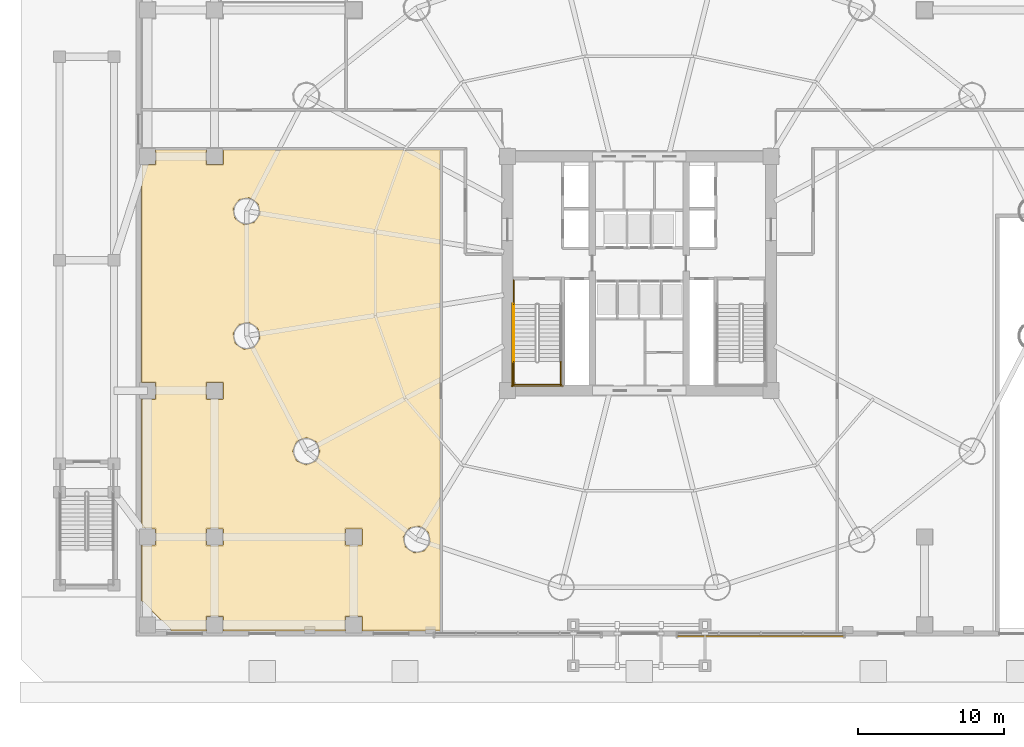
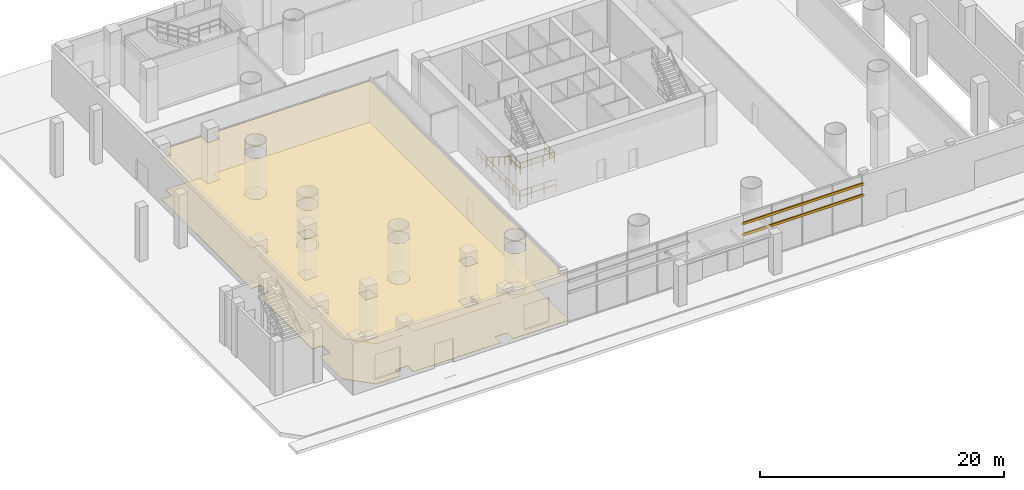
# One storey, part 17 of 25: 7 railings, 2 coverings, 2 shading devices.
"""IFC4 building model written with IfcOpenShell, lengths in metres."""

from ifc_helpers import new_model, si_unit, direction, frame, origin, origin_2d, place, context, subcontext, project, spatial, polyline, rectangle, hollow_rectangle, outline, extrude, source, transform, mapped, material, layer, layer_set, material_profile, profile_set, type_object, element, save


model = new_model("IFC4")

# Units and contexts
model_context = context("Model", 3, precision=1e-05, world=origin(), true_north=direction((-0.2419218956, 0.970295726276)))
body_context = subcontext(model_context, "Body", "Model", "MODEL_VIEW")
ifc_project = project(units=[si_unit("LENGTHUNIT", "METRE"), si_unit("AREAUNIT", "SQUARE_METRE"), si_unit("VOLUMEUNIT", "CUBIC_METRE"), si_unit("PLANEANGLEUNIT", "RADIAN"), si_unit("MASSUNIT", "GRAM", prefix="KILO")], contexts=[model_context])

# Site, building, storey
site_placement = place(None, origin())
site = spatial("IfcSite", under=ifc_project, at=site_placement, CompositionType="ELEMENT")
building_placement = place(site_placement, origin())
building = spatial("IfcBuilding", under=site, at=building_placement, Name="Cobrevalo Terracotta Tower", CompositionType="ELEMENT")
storey_placement = place(building_placement, origin())
storey = spatial("IfcBuildingStorey", under=building, at=storey_placement, Name="L00", CompositionType="ELEMENT", Elevation=0.0)

# Coverings
ifc_material_1 = material(Name="Honed terracotta and granite tile", Category="masonry")
ifc_layer_1 = layer(ifc_material_1, 0.034912109375)
ifc_layer_set_1 = layer_set([ifc_layer_1], Name="Honed terracotta and granite tile")
covering_type_1 = type_object("IfcCoveringType", Name="Honed Terracotta & Granite Interior Flooring 35", PredefinedType="FLOORING", material=ifc_layer_set_1)
covering_1_placement = place(storey_placement, origin())
element("IfcCovering", 1, at=covering_1_placement, inside=storey, type_object=covering_type_1, Name="South-West Promenade Boutique Retail floor finish", PredefinedType="FLOORING", context=body_context, shape_type="SweptSolid", body=[
    extrude(outline(polyline([(4.0400390625, 4.478271484375), (4.0400390625, 8.199951171875), (5.0, 8.199951171875), (5.0, 9.39990234375), (4.0400390625, 9.39990234375), (4.0400390625, 18.199951171875), (5.0, 18.199951171875), (5.0, 19.39990234375), (4.0400390625, 19.39990234375), (4.0400390625, 34.199951171875), (5.0, 34.199951171875), (5.0, 35.219970703125), (8.39990234375, 35.219970703125), (8.39990234375, 34.199951171875), (9.60009765625, 34.199951171875), (9.60009765625, 35.219970703125), (24.3798828125, 35.219970703125), (24.3798828125, 2.43994140625), (19.10009765625, 2.43994140625), (19.10009765625, 3.39990234375), (17.89990234375, 3.39990234375), (17.89990234375, 2.43994140625), (9.60009765625, 2.43994140625), (9.60009765625, 3.39990234375), (8.39990234375, 3.39990234375), (8.39990234375, 2.43994140625), (6.078369140625, 2.43994140625), (4.0400390625, 4.478271484375)]), holes=[polyline([(23.338623046875, 7.833984375), (23.746826171875, 8.445068359375), (23.603515625, 9.165771484375), (22.992431640625, 9.573974609375), (22.271728515625, 9.4306640625), (21.863525390625, 8.819580078125), (22.0068359375, 8.098876953125), (22.617919921875, 7.690673828125), (23.338623046875, 7.833984375)]), polyline([(17.89990234375, 9.39990234375), (17.89990234375, 8.199951171875), (19.10009765625, 8.199951171875), (19.10009765625, 9.39990234375), (17.89990234375, 9.39990234375)]), polyline([(15.938232421875, 13.98193359375), (16.219482421875, 14.660888671875), (15.938232421875, 15.339599609375), (15.25927734375, 15.620849609375), (14.580322265625, 15.339599609375), (14.29931640625, 14.660888671875), (14.580322265625, 13.98193359375), (15.25927734375, 13.70068359375), (15.938232421875, 13.98193359375)]), polyline([(11.708984375, 21.739013671875), (12.1171875, 22.349853515625), (11.973876953125, 23.07080078125), (11.36279296875, 23.47900390625), (10.64208984375, 23.33544921875), (10.23388671875, 22.724609375), (10.377197265625, 22.00390625), (10.98828125, 21.595703125), (11.708984375, 21.739013671875)]), polyline([(11.708984375, 30.264404296875), (12.1171875, 30.87548828125), (11.973876953125, 31.59619140625), (11.36279296875, 32.00439453125), (10.64208984375, 31.861083984375), (10.23388671875, 31.25), (10.377197265625, 30.529296875), (10.98828125, 30.12109375), (11.708984375, 30.264404296875)]), polyline([(8.39990234375, 9.39990234375), (8.39990234375, 8.199951171875), (9.60009765625, 8.199951171875), (9.60009765625, 9.39990234375), (8.39990234375, 9.39990234375)]), polyline([(8.39990234375, 19.39990234375), (8.39990234375, 18.199951171875), (9.60009765625, 18.199951171875), (9.60009765625, 19.39990234375), (8.39990234375, 19.39990234375)])]), origin(), (0.0, 0.0, 1.0), 0.030029296875),
])
ifc_material_2 = material(Name="Acoustic perforated gypsum ceiling", Category="gypsum")
ifc_layer_2 = layer(ifc_material_2, 0.050048828125)
ifc_layer_set_2 = layer_set([ifc_layer_2], Name="Acoustic perforated gypsum ceiling")
covering_type_2 = type_object("IfcCoveringType", Name="Perforated Acoustic Gypsum Ceiling 50", PredefinedType="CEILING", material=ifc_layer_set_2)
covering_2_placement = place(storey_placement, frame((0.0, 0.0, 4.06005859375)))
element("IfcCovering", 2, at=covering_2_placement, inside=storey, type_object=covering_type_2, Name="South-West Promenade Boutique Retail acoustic ceiling", PredefinedType="CEILING", context=body_context, shape_type="SweptSolid", body=[
    extrude(outline(polyline([(3.9951171875, 4.459716796875), (3.9951171875, 8.2451171875), (4.955078125, 8.2451171875), (4.955078125, 9.35498046875), (3.9951171875, 9.35498046875), (3.9951171875, 18.2451171875), (4.955078125, 18.2451171875), (4.955078125, 19.35498046875), (3.9951171875, 19.35498046875), (3.9951171875, 34.2451171875), (4.955078125, 34.2451171875), (4.955078125, 35.264892578125), (8.445068359375, 35.264892578125), (8.445068359375, 34.2451171875), (9.554931640625, 34.2451171875), (9.554931640625, 35.264892578125), (24.425048828125, 35.264892578125), (24.425048828125, 2.39501953125), (19.054931640625, 2.39501953125), (19.054931640625, 3.35498046875), (17.945068359375, 3.35498046875), (17.945068359375, 2.39501953125), (9.554931640625, 2.39501953125), (9.554931640625, 3.35498046875), (8.445068359375, 3.35498046875), (8.445068359375, 2.39501953125), (6.0595703125, 2.39501953125), (3.9951171875, 4.459716796875)]), holes=[polyline([(23.3134765625, 7.87158203125), (23.702392578125, 8.453857421875), (23.56591796875, 9.140625), (22.983642578125, 9.52978515625), (22.296875, 9.39306640625), (21.907958984375, 8.810791015625), (22.04443359375, 8.1240234375), (22.626708984375, 7.735107421875), (23.3134765625, 7.87158203125)]), polyline([(17.945068359375, 9.35498046875), (17.945068359375, 8.2451171875), (19.054931640625, 8.2451171875), (19.054931640625, 9.35498046875), (17.945068359375, 9.35498046875)]), polyline([(15.90625, 14.013916015625), (16.174072265625, 14.660888671875), (15.90625, 15.3076171875), (15.25927734375, 15.57568359375), (14.6123046875, 15.3076171875), (14.344482421875, 14.660888671875), (14.6123046875, 14.013916015625), (15.25927734375, 13.745849609375), (15.90625, 14.013916015625)]), polyline([(11.683837890625, 21.776611328125), (12.07275390625, 22.35888671875), (11.936279296875, 23.045654296875), (11.35400390625, 23.4345703125), (10.667236328125, 23.2978515625), (10.2783203125, 22.7158203125), (10.414794921875, 22.029052734375), (10.9970703125, 21.639892578125), (11.683837890625, 21.776611328125)]), polyline([(11.683837890625, 30.302001953125), (12.07275390625, 30.88427734375), (11.936279296875, 31.571044921875), (11.35400390625, 31.9599609375), (10.667236328125, 31.823486328125), (10.2783203125, 31.2412109375), (10.414794921875, 30.554443359375), (10.9970703125, 30.16552734375), (11.683837890625, 30.302001953125)]), polyline([(8.445068359375, 9.35498046875), (8.445068359375, 8.2451171875), (9.554931640625, 8.2451171875), (9.554931640625, 9.35498046875), (8.445068359375, 9.35498046875)]), polyline([(8.445068359375, 19.35498046875), (8.445068359375, 18.2451171875), (9.554931640625, 18.2451171875), (9.554931640625, 19.35498046875), (8.445068359375, 19.35498046875)])]), origin(), (0.0, 0.0, 1.0), 0.050048828125),
])

# Railings
ifc_material_3 = material(Name="Brushed stainless steel", Category="steel")
railing_type_1 = type_object("IfcRailingType", Name="Stainless Steel Stair Handrail 900", PredefinedType="HANDRAIL", material=ifc_material_3)
railing_1_placement = place(storey_placement, frame((29.425048828125, 24.699951171875, 0.179931640625)))
element("IfcRailing", 3, at=railing_1_placement, inside=storey, type_object=railing_type_1, Name="L00 ST-1 stair handrail 1", PredefinedType="HANDRAIL", context=body_context, shape_type="SweptSolid", body=[
    extrude(rectangle(XDim=0.048095703125, YDim=0.048095703125, at=origin_2d()), frame((0.0, 0.0, 0.8759765625), z_axis=(0.0, -0.841171666519, 0.540768182723), x_axis=(1.0, 0.0, 0.0)), (0.0, 0.0, 1.0), 4.66015625),
    extrude(rectangle(XDim=0.0419921875, YDim=0.0419921875, at=origin_2d()), origin(), (0.0, 0.0, 1.0), 0.851806640625),
    extrude(rectangle(XDim=0.0419921875, YDim=0.0419921875, at=origin_2d()), frame((0.0, -0.97998046875, 0.6298828125)), (0.0, 0.0, 1.0), 0.851806640625),
    extrude(rectangle(XDim=0.0419921875, YDim=0.0419921875, at=origin_2d()), frame((0.0, -1.9599609375, 1.260009765625)), (0.0, 0.0, 1.0), 0.851806640625),
    extrude(rectangle(XDim=0.0419921875, YDim=0.0419921875, at=origin_2d()), frame((0.0, -2.93994140625, 1.89013671875)), (0.0, 0.0, 1.0), 0.851806640625),
    extrude(rectangle(XDim=0.0419921875, YDim=0.0419921875, at=origin_2d()), frame((0.0, -3.919921875, 2.52001953125)), (0.0, 0.0, 1.0), 0.851806640625),
])
ifc_material_4 = material(Name="Painted galvanized steel", Category="steel")
railing_type_2 = type_object("IfcRailingType", Name="Stair Well Guard Balustrade 1150", PredefinedType="GUARDRAIL", material=ifc_material_4)
for number, where, name in (
    (4, (29.425048828125, 20.780029296875, 2.699951171875), "L00 ST-1 stair guard 3"),
    (5, (32.64501953125, 20.780029296875, 2.699951171875), "L00 ST-1 stair guard 4"),
):
    element("IfcRailing", number, at=place(storey_placement, frame(where)), inside=storey, type_object=railing_type_2, Name=name, PredefinedType="GUARDRAIL", context=body_context, shape_type="SweptSolid", body=[
        extrude(rectangle(XDim=0.048095703125, YDim=0.048095703125, at=origin_2d()), frame((0.0, 0.0, 1.1259765625), z_axis=(0.0, -1.0, 0.0), x_axis=(1.0, 0.0, 0.0)), (0.0, 0.0, 1.0), 1.60498046875),
        extrude(rectangle(XDim=0.048095703125, YDim=0.048095703125, at=origin_2d()), frame((0.0, 0.0, 0.574951171875), z_axis=(0.0, -1.0, 0.0), x_axis=(1.0, 0.0, 0.0)), (0.0, 0.0, 1.0), 1.60498046875),
        extrude(rectangle(XDim=0.0419921875, YDim=0.0419921875, at=origin_2d()), origin(), (0.0, 0.0, 1.0), 1.101806640625),
        extrude(rectangle(XDim=0.0419921875, YDim=0.0419921875, at=origin_2d()), frame((0.0, -0.802490234375, 0.0)), (0.0, 0.0, 1.0), 1.101806640625),
        extrude(rectangle(XDim=0.0419921875, YDim=0.0419921875, at=origin_2d()), frame((0.0, -1.60498046875, 0.0)), (0.0, 0.0, 1.0), 1.101806640625),
    ])
railing_2_placement = place(storey_placement, frame((29.375, 19.22509765625, 2.699951171875)))
element("IfcRailing", 6, at=railing_2_placement, inside=storey, type_object=railing_type_2, Name="L00 ST-1 stair guard 5", PredefinedType="GUARDRAIL", context=body_context, shape_type="SweptSolid", body=[
    extrude(rectangle(XDim=0.048095703125, YDim=0.048095703125, at=origin_2d()), frame((0.0, 0.0, 1.1259765625), z_axis=(1.0, 0.0, 0.0), x_axis=(0.0, 1.0, 0.0)), (0.0, 0.0, 1.0), 3.320068359375),
    extrude(rectangle(XDim=0.048095703125, YDim=0.048095703125, at=origin_2d()), frame((0.0, 0.0, 0.574951171875), z_axis=(1.0, 0.0, 0.0), x_axis=(0.0, 1.0, 0.0)), (0.0, 0.0, 1.0), 3.320068359375),
    extrude(rectangle(XDim=0.0419921875, YDim=0.0419921875, at=origin_2d()), origin(), (0.0, 0.0, 1.0), 1.101806640625),
    extrude(rectangle(XDim=0.0419921875, YDim=0.0419921875, at=origin_2d()), frame((1.106689453125, 0.0, 0.0)), (0.0, 0.0, 1.0), 1.101806640625),
    extrude(rectangle(XDim=0.0419921875, YDim=0.0419921875, at=origin_2d()), frame((2.21337890625, 0.0, 0.0)), (0.0, 0.0, 1.0), 1.101806640625),
    extrude(rectangle(XDim=0.0419921875, YDim=0.0419921875, at=origin_2d()), frame((3.320068359375, 0.0, 0.0)), (0.0, 0.0, 1.0), 1.101806640625),
])
railing_3_placement = place(storey_placement, frame((29.425048828125, 26.35009765625, 0.0)))
element("IfcRailing", 7, at=railing_3_placement, inside=storey, type_object=railing_type_2, Name="L00 ST-1 stair guard 8", PredefinedType="GUARDRAIL", context=body_context, shape_type="SweptSolid", body=[
    extrude(rectangle(XDim=0.048095703125, YDim=0.048095703125, at=origin_2d()), frame((0.0, 0.0, 1.1259765625), z_axis=(0.0, -1.0, 0.0), x_axis=(1.0, 0.0, 0.0)), (0.0, 0.0, 1.0), 1.650146484375),
    extrude(rectangle(XDim=0.048095703125, YDim=0.048095703125, at=origin_2d()), frame((0.0, 0.0, 0.574951171875), z_axis=(0.0, -1.0, 0.0), x_axis=(1.0, 0.0, 0.0)), (0.0, 0.0, 1.0), 1.650146484375),
    extrude(rectangle(XDim=0.0419921875, YDim=0.0419921875, at=origin_2d()), origin(), (0.0, 0.0, 1.0), 1.101806640625),
    extrude(rectangle(XDim=0.0419921875, YDim=0.0419921875, at=origin_2d()), frame((0.0, -0.8251953125, 0.0)), (0.0, 0.0, 1.0), 1.101806640625),
    extrude(rectangle(XDim=0.0419921875, YDim=0.0419921875, at=origin_2d()), frame((0.0, -1.650146484375, 0.0)), (0.0, 0.0, 1.0), 1.101806640625),
])
railing_4_placement = place(storey_placement, frame((29.324951171875, 24.800048828125, 0.0)))
element("IfcRailing", 8, at=railing_4_placement, inside=storey, type_object=railing_type_2, Name="L00 ST-1 stair guard 10", PredefinedType="GUARDRAIL", context=body_context, shape_type="SweptSolid", body=[
    extrude(rectangle(XDim=0.048095703125, YDim=0.048095703125, at=origin_2d()), frame((0.0, 0.0, 1.1259765625), z_axis=(0.0, -1.0, 0.0), x_axis=(1.0, 0.0, 0.0)), (0.0, 0.0, 1.0), 5.72509765625),
    extrude(rectangle(XDim=0.048095703125, YDim=0.048095703125, at=origin_2d()), frame((0.0, 0.0, 0.574951171875), z_axis=(0.0, -1.0, 0.0), x_axis=(1.0, 0.0, 0.0)), (0.0, 0.0, 1.0), 5.72509765625),
    extrude(rectangle(XDim=0.0419921875, YDim=0.0419921875, at=origin_2d()), origin(), (0.0, 0.0, 1.0), 1.101806640625),
    extrude(rectangle(XDim=0.0419921875, YDim=0.0419921875, at=origin_2d()), frame((0.0, -1.14501953125, 0.0)), (0.0, 0.0, 1.0), 1.101806640625),
    extrude(rectangle(XDim=0.0419921875, YDim=0.0419921875, at=origin_2d()), frame((0.0, -2.2900390625, 0.0)), (0.0, 0.0, 1.0), 1.101806640625),
    extrude(rectangle(XDim=0.0419921875, YDim=0.0419921875, at=origin_2d()), frame((0.0, -3.43505859375, 0.0)), (0.0, 0.0, 1.0), 1.101806640625),
    extrude(rectangle(XDim=0.0419921875, YDim=0.0419921875, at=origin_2d()), frame((0.0, -4.580078125, 0.0)), (0.0, 0.0, 1.0), 1.101806640625),
    extrude(rectangle(XDim=0.0419921875, YDim=0.0419921875, at=origin_2d()), frame((0.0, -5.72509765625, 0.0)), (0.0, 0.0, 1.0), 1.101806640625),
])
railing_5_placement = place(storey_placement, frame((29.27490234375, 19.125, 0.0)))
element("IfcRailing", 9, at=railing_5_placement, inside=storey, type_object=railing_type_2, Name="L00 ST-1 stair guard 12", PredefinedType="GUARDRAIL", context=body_context, shape_type="SweptSolid", body=[
    extrude(rectangle(XDim=0.048095703125, YDim=0.048095703125, at=origin_2d()), frame((0.0, 0.0, 1.1259765625), z_axis=(1.0, 0.0, 0.0), x_axis=(0.0, 1.0, 0.0)), (0.0, 0.0, 1.0), 3.52001953125),
    extrude(rectangle(XDim=0.048095703125, YDim=0.048095703125, at=origin_2d()), frame((0.0, 0.0, 0.574951171875), z_axis=(1.0, 0.0, 0.0), x_axis=(0.0, 1.0, 0.0)), (0.0, 0.0, 1.0), 3.52001953125),
    extrude(rectangle(XDim=0.0419921875, YDim=0.0419921875, at=origin_2d()), origin(), (0.0, 0.0, 1.0), 1.101806640625),
    extrude(rectangle(XDim=0.0419921875, YDim=0.0419921875, at=origin_2d()), frame((1.17333984375, 0.0, 0.0)), (0.0, 0.0, 1.0), 1.101806640625),
    extrude(rectangle(XDim=0.0419921875, YDim=0.0419921875, at=origin_2d()), frame((2.3466796875, 0.0, 0.0)), (0.0, 0.0, 1.0), 1.101806640625),
    extrude(rectangle(XDim=0.0419921875, YDim=0.0419921875, at=origin_2d()), frame((3.52001953125, 0.0, 0.0)), (0.0, 0.0, 1.0), 1.101806640625),
])

# Shading devices
ifc_material_5 = material(Name="Extruded fired architectural terracotta", Category="masonry")
ifc_material_profile = material_profile(ifc_material_5, hollow_rectangle(XDim=0.110107421875, YDim=0.239990234375, WallThickness=0.01806640625, at=origin_2d()), Name="BAGUETTE 110x240")
ifc_profile_set = profile_set([ifc_material_profile], Name="Extruded fired architectural terracotta")
shading_device_type = type_object("IfcShadingDeviceType", Name="Horizontal Terracotta Baguette Screen 110x240", PredefinedType="USERDEFINED", material=ifc_profile_set)
shared_shape = source(origin(), body_context, "Body", "SweptSolid", [
    extrude(hollow_rectangle(XDim=0.110107421875, YDim=0.239990234375, WallThickness=0.01806640625, at=origin_2d()), origin(), (0.0, 0.0, 1.0), 11.419921875),
])
for number, where, z_axis, x_axis, name in (
    (10, (40.590087890625, 2.02001953125, 3.162109375), (1.0, 0.0, 0.0), (0.0, 1.0, 0.0), "CW-L00-S-LOB2 horizontal terracotta baguette 1"),
    (11, (40.590087890625, 2.02001953125, 4.283935546875), (1.0, 0.0, 0.0), (0.0, 1.0, 0.0), "CW-L00-S-LOB2 horizontal terracotta baguette 2"),
):
    element("IfcShadingDevice", number, at=place(storey_placement, frame(where, z_axis=z_axis, x_axis=x_axis)), inside=storey, type_object=shading_device_type, Name=name, ObjectType="BAGUETTE", PredefinedType="USERDEFINED", context=body_context, shape_type="MappedRepresentation", body=[
        mapped(shared_shape, transform((0.0, 0.0, 0.0), scale=1.0)),
    ])

save(model, "model.ifc")
